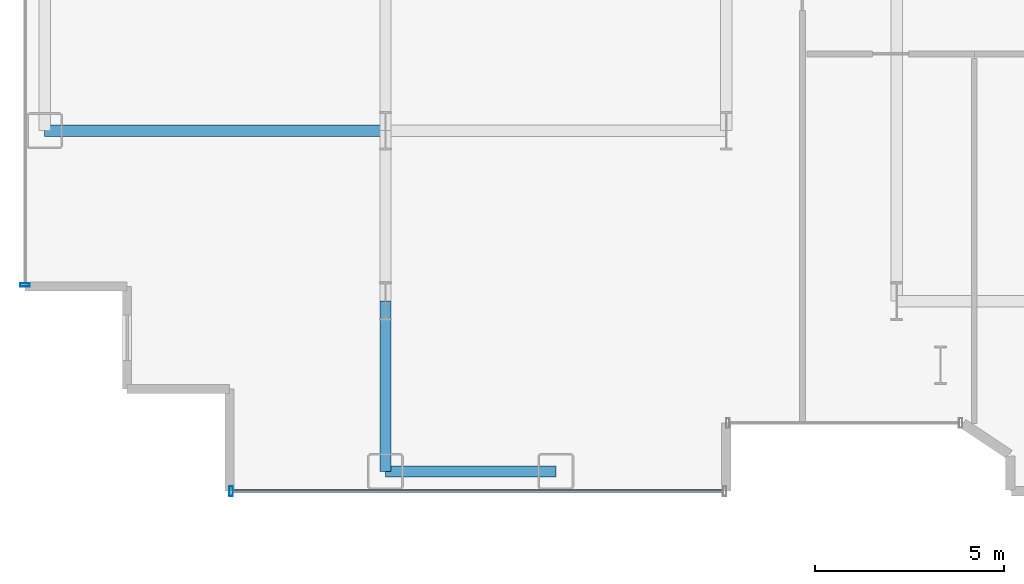
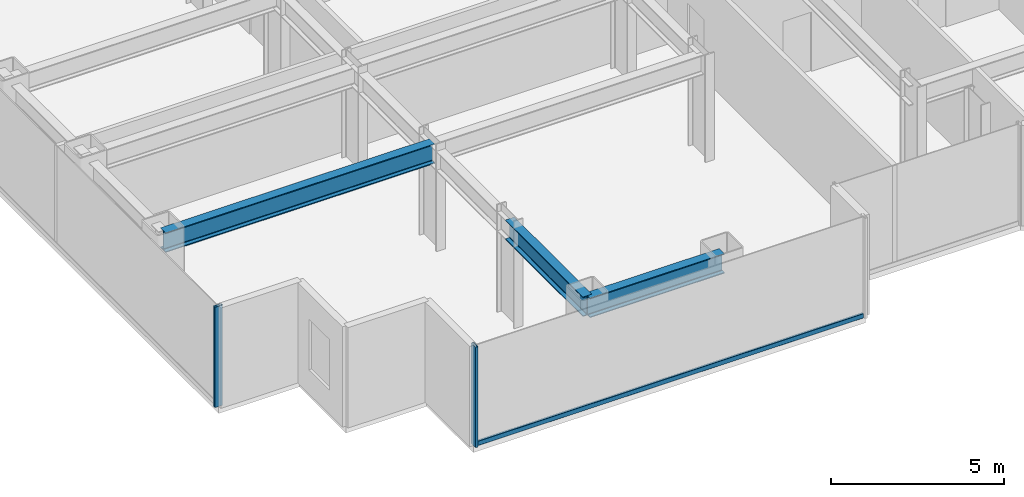
# One storey, part 2 of 26: 3 beams, 3 members, 2 elements without a shape of their own.
"""IFC4 building model written with IfcOpenShell, lengths in metres."""

from ifc_helpers import new_model, si_unit, direction, frame, origin, origin_2d, place, context, subcontext, project, spatial, hollow_rectangle, i_section, extrude, source, transform, mapped, material, layer, layer_set, material_profile, profile_set, type_object, element, aggregate, save


model = new_model("IFC4")

# Units and contexts
model_context = context("Model", 3, precision=1e-05, world=origin(), true_north=direction((0.0, 1.0)))
body_context = subcontext(model_context, "Body", "Model", "MODEL_VIEW")
ifc_project = project(units=[si_unit("LENGTHUNIT", "METRE"), si_unit("AREAUNIT", "SQUARE_METRE"), si_unit("VOLUMEUNIT", "CUBIC_METRE"), si_unit("PLANEANGLEUNIT", "RADIAN"), si_unit("MASSUNIT", "GRAM", prefix="KILO")], contexts=[model_context])

# Site, building, storey
site_placement = place(None, origin())
site = spatial("IfcSite", under=ifc_project, at=site_placement, CompositionType="ELEMENT")
building_placement = place(site_placement, origin())
building = spatial("IfcBuilding", under=site, at=building_placement, Name="Nefas-Gora Pilgrimage Tower", CompositionType="ELEMENT")
storey_placement = place(building_placement, frame((0.0, 0.0, 36.800048828125)))
storey = spatial("IfcBuildingStorey", under=building, at=storey_placement, Name="L07", CompositionType="ELEMENT", Elevation=36.800048828125)

# Beams
ifc_material_1 = material(Name="Steel S355", Category="steel")
ifc_material_profile_1 = material_profile(ifc_material_1, i_section(OverallWidth=0.300048828125, OverallDepth=0.699951171875, WebThickness=0.01708984375, FlangeThickness=0.031982421875, FilletRadius=0.027099609375, at=origin_2d()), Name="HEB 700")
ifc_profile_set_1 = profile_set([ifc_material_profile_1], Name="Steel S355")
beam_type_1 = type_object("IfcBeamType", Name="BM-SPN-HEB600", PredefinedType="SPANDREL", material=ifc_profile_set_1)
shared_shape_1 = source(origin(), body_context, "Body", "SweptSolid", [
    extrude(i_section(OverallWidth=0.300048828125, OverallDepth=0.699951171875, WebThickness=0.01708984375, FlangeThickness=0.031982421875, FilletRadius=0.027099609375, at=origin_2d()), origin(), (0.0, 0.0, 1.0), 4.5),
])
beam_1_placement = place(storey_placement, frame((-24.75, -22.5, 3.199951171875), z_axis=(1.0, 0.0, 0.0), x_axis=(0.0, 1.0, 0.0)))
element("IfcBeam", 1, at=beam_1_placement, inside=storey, type_object=beam_type_1, Name="L07 SP-01 beam", PredefinedType="SPANDREL", context=body_context, shape_type="MappedRepresentation", body=[
    mapped(shared_shape_1, transform((0.0, 0.0, 0.0), x_axis=(1.0, 0.0, 0.0), y_axis=(0.0, 1.0, 0.0), z_axis=(0.0, 0.0, 1.0), scale=1.0)),
])
ifc_material_profile_2 = material_profile(ifc_material_1, i_section(OverallWidth=0.300048828125, OverallDepth=0.699951171875, WebThickness=0.01708984375, FlangeThickness=0.031982421875, FilletRadius=0.027099609375, at=origin_2d()), Name="HEB 700")
ifc_profile_set_2 = profile_set([ifc_material_profile_2], Name="Steel S355")
beam_type_2 = type_object("IfcBeamType", Name="BM-GIR-HEB700", PredefinedType="BEAM", material=ifc_profile_set_2)
shared_shape_2 = source(origin(), body_context, "Body", "SweptSolid", [
    extrude(i_section(OverallWidth=0.300048828125, OverallDepth=0.699951171875, WebThickness=0.01708984375, FlangeThickness=0.031982421875, FilletRadius=0.027099609375, at=origin_2d()), origin(), (0.0, 0.0, 1.0), 9.0),
])
beam_2_placement = place(storey_placement, frame((-33.75, -13.5, 3.199951171875), z_axis=(1.0, 0.0, 0.0), x_axis=(0.0, 1.0, 0.0)))
element("IfcBeam", 2, at=beam_2_placement, inside=storey, type_object=beam_type_2, Name="L07 G-02 beam", PredefinedType="BEAM", context=body_context, shape_type="MappedRepresentation", body=[
    mapped(shared_shape_2, transform((0.0, 0.0, 0.0), x_axis=(1.0, 0.0, 0.0), y_axis=(0.0, 1.0, 0.0), z_axis=(0.0, 0.0, 1.0), scale=1.0)),
])
shared_shape_3 = source(origin(), body_context, "Body", "SweptSolid", [
    extrude(i_section(OverallWidth=0.300048828125, OverallDepth=0.699951171875, WebThickness=0.01708984375, FlangeThickness=0.031982421875, FilletRadius=0.027099609375, at=origin_2d()), origin(), (0.0, 0.0, 1.0), 4.5),
])
beam_3_placement = place(storey_placement, frame((-24.75, -22.5, 3.199951171875), z_axis=(0.0, 1.0, 0.0), x_axis=(-1.0, 0.0, 0.0)))
element("IfcBeam", 3, at=beam_3_placement, inside=storey, type_object=beam_type_2, Name="L07 G-02 beam", PredefinedType="BEAM", context=body_context, shape_type="MappedRepresentation", body=[
    mapped(shared_shape_3, transform((0.0, 0.0, 0.0), x_axis=(1.0, 0.0, 0.0), y_axis=(0.0, 1.0, 0.0), z_axis=(0.0, 0.0, 1.0), scale=1.0)),
])

# Curtain wall, member
ifc_material_2 = material(Name="Dark ceramic-fritted solar-control aluminium-glass curtain wall", Category="aluminium")
ifc_layer = layer(ifc_material_2, 0.219970703125)
ifc_layer_set = layer_set([ifc_layer], Name="Dark ceramic-fritted solar-control aluminium-glass curtain wall")
curtain_wall_type = type_object("IfcCurtainWallType", Name="CW-SYS-2", PredefinedType="NOTDEFINED", material=ifc_layer_set)
curtain_wall_1_placement = place(storey_placement, origin())
curtain_wall_1 = element("IfcCurtainWall", 4, at=curtain_wall_1_placement, inside=storey, type_object=curtain_wall_type, Name="L07 Unitised Curtain Wall CW2", PredefinedType="NOTDEFINED")
ifc_material_3 = material(Name="Anodised architectural aluminium", Category="aluminium")
ifc_material_profile_3 = material_profile(ifc_material_3, hollow_rectangle(XDim=0.090087890625, YDim=0.260009765625, WallThickness=0.006103515625, InnerFilletRadius=0.006103515625, OuterFilletRadius=0.011962890625, at=origin_2d()), Name="ALU MULLION 90x260")
ifc_profile_set_3 = profile_set([ifc_material_profile_3], Name="Anodised architectural aluminium")
member_type_1 = type_object("IfcMemberType", Name="CWM-MUL-2", PredefinedType="MULLION", material=ifc_profile_set_3)
shared_shape_4 = source(origin(), body_context, "Body", "SweptSolid", [
    extrude(hollow_rectangle(XDim=0.090087890625, YDim=0.260009765625, WallThickness=0.006103515625, InnerFilletRadius=0.006103515625, OuterFilletRadius=0.011962890625, at=origin_2d()), origin(), (0.0, 0.0, 1.0), 3.550048828125),
])
member_1_placement = place(storey_placement, frame((-34.27001953125, -17.574951171875, 0.0), z_axis=(0.0, 0.0, 1.0), x_axis=(0.0, -1.0, 0.0)))
member_1 = element("IfcMember", 5, at=member_1_placement, type_object=member_type_1, Name="CW2 Mullion 2", PredefinedType="MULLION", context=body_context, shape_type="MappedRepresentation", body=[
    mapped(shared_shape_4, transform((0.0, 0.0, 0.0), x_axis=(1.0, 0.0, 0.0), y_axis=(0.0, 1.0, 0.0), z_axis=(0.0, 0.0, 1.0), scale=1.0)),
])
aggregate(curtain_wall_1, [member_1])

# Curtain wall, members
curtain_wall_2_placement = place(storey_placement, origin())
curtain_wall_2 = element("IfcCurtainWall", 6, at=curtain_wall_2_placement, inside=storey, type_object=curtain_wall_type, Name="L07 Unitised Curtain Wall CW2", PredefinedType="NOTDEFINED")
member_2_placement = place(storey_placement, frame((-28.824951171875, -23.02001953125, 0.0), z_axis=(0.0, 0.0, 1.0), x_axis=(1.0, 0.0, 0.0)))
member_2 = element("IfcMember", 7, at=member_2_placement, type_object=member_type_1, Name="CW2 Mullion 1", PredefinedType="MULLION", context=body_context, shape_type="MappedRepresentation", body=[
    mapped(shared_shape_4, transform((0.0, 0.0, 0.0), x_axis=(1.0, 0.0, 0.0), y_axis=(0.0, 1.0, 0.0), z_axis=(0.0, 0.0, 1.0), scale=1.0)),
])
ifc_material_profile_4 = material_profile(ifc_material_3, hollow_rectangle(XDim=0.080078125, YDim=0.159912109375, WallThickness=0.00439453125, InnerFilletRadius=0.00439453125, OuterFilletRadius=0.009033203125, at=origin_2d()), Name="ALU TRANSOM 80x160")
ifc_profile_set_4 = profile_set([ifc_material_profile_4], Name="Anodised architectural aluminium")
member_type_2 = type_object("IfcMemberType", Name="CWM-TRN-2", PredefinedType="USERDEFINED", material=ifc_profile_set_4)
shared_shape_5 = source(origin(), body_context, "Body", "SweptSolid", [
    extrude(hollow_rectangle(XDim=0.080078125, YDim=0.159912109375, WallThickness=0.00439453125, InnerFilletRadius=0.00439453125, OuterFilletRadius=0.009033203125, at=origin_2d()), origin(), (0.0, 0.0, 1.0), 12.93994140625),
])
member_3_placement = place(storey_placement, frame((-28.780029296875, -23.02001953125, 0.050048828125), z_axis=(1.0, 0.0, 0.0), x_axis=(0.0, 1.0, 0.0)))
member_3 = element("IfcMember", 8, at=member_3_placement, type_object=member_type_2, Name="CW2 Spandrel Transom", ObjectType="TRANSOM", PredefinedType="USERDEFINED", context=body_context, shape_type="MappedRepresentation", body=[
    mapped(shared_shape_5, transform((0.0, 0.0, 0.0), x_axis=(1.0, 0.0, 0.0), y_axis=(0.0, 1.0, 0.0), z_axis=(0.0, 0.0, 1.0), scale=1.0)),
])
aggregate(curtain_wall_2, [member_2, member_3])

save(model, "model.ifc")
